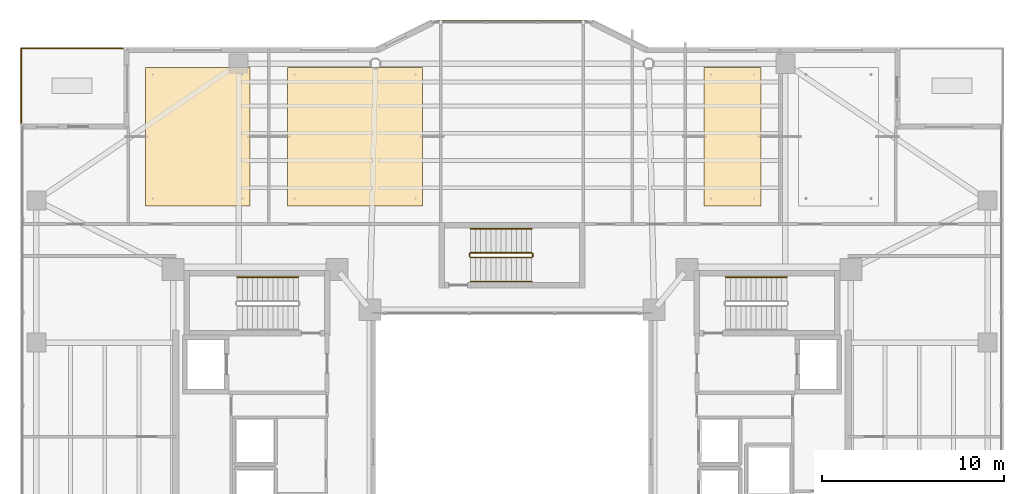
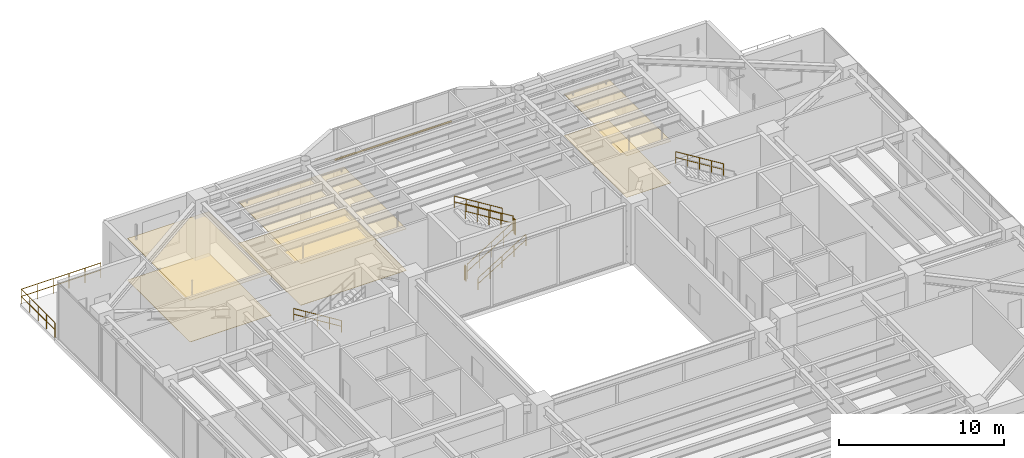
# One storey, part 36 of 37: 10 railings, 6 coverings, 1 shading device.
"""IFC4 building model written with IfcOpenShell, lengths in metres."""

from ifc_helpers import new_model, si_unit, direction, frame, origin, origin_2d, place, context, subcontext, project, spatial, polyline, rectangle, circle, outline, extrude, material, layer, layer_set, material_profile, profile_set, type_object, element, save


model = new_model("IFC4")

# Units and contexts
model_context = context("Model", 3, precision=1e-05, world=origin(), true_north=direction((0.0, 1.0)))
body_context = subcontext(model_context, "Body", "Model", "MODEL_VIEW")
ifc_project = project(units=[si_unit("LENGTHUNIT", "METRE"), si_unit("AREAUNIT", "SQUARE_METRE"), si_unit("VOLUMEUNIT", "CUBIC_METRE"), si_unit("PLANEANGLEUNIT", "RADIAN"), si_unit("MASSUNIT", "GRAM", prefix="KILO")], contexts=[model_context])

# Site, building, storey
site_placement = place(None, origin())
site = spatial("IfcSite", under=ifc_project, at=site_placement, CompositionType="ELEMENT")
building_placement = place(site_placement, origin())
building = spatial("IfcBuilding", under=site, at=building_placement, Name="Tarnavaz Court Tower", CompositionType="ELEMENT")
storey_placement = place(building_placement, frame((0.0, 0.0, 118.5)))
storey = spatial("IfcBuildingStorey", under=building, at=storey_placement, Name="L32", CompositionType="ELEMENT", Elevation=118.5)

# Coverings
ifc_material_1 = material(Name="Perforated Gypsum Acoustic Ceiling Tile", Category="masonry")
ifc_layer_1 = layer(ifc_material_1, 0.02490234375)
ifc_layer_set_1 = layer_set([ifc_layer_1], Name="Perforated Gypsum Acoustic Ceiling Tile")
covering_type_1 = type_object("IfcCoveringType", Name="CV-CEIL-AC", PredefinedType="CEILING", material=ifc_layer_set_1)
covering_1_placement = place(storey_placement, frame((0.0, 0.0, 3.080078125)))
element("IfcCovering", 1, at=covering_1_placement, inside=storey, type_object=covering_type_1, Name="L32 L32 Community Banquet Assembly Hall Suspended Acoustic Ceiling", PredefinedType="CEILING", context=body_context, shape_type="SweptSolid", body=[
    extrude(outline(polyline([(-20.10009765625, 13.5), (-14.385009765625, 13.5), (-14.385009765625, 21.10009765625), (-20.10009765625, 21.10009765625), (-20.10009765625, 13.5)])), origin(), (0.0, 0.0, 1.0), 0.02490234375),
])
covering_2_placement = place(storey_placement, frame((0.0, 0.0, 3.080078125)))
element("IfcCovering", 2, at=covering_2_placement, inside=storey, type_object=covering_type_1, Name="L32 L32 Resident Study Library Suspended Acoustic Ceiling", PredefinedType="CEILING", context=body_context, shape_type="SweptSolid", body=[
    extrude(outline(polyline([(-12.324951171875, 13.5), (-4.89990234375, 13.5), (-4.89990234375, 21.10009765625), (-12.324951171875, 21.10009765625), (-12.324951171875, 13.5)])), origin(), (0.0, 0.0, 1.0), 0.02490234375),
])
covering_3_placement = place(storey_placement, frame((0.0, 0.0, 3.080078125)))
element("IfcCovering", 3, at=covering_3_placement, inside=storey, type_object=covering_type_1, Name="L32 Community Seminar Meeting Room Suspended Acoustic Ceiling", PredefinedType="CEILING", context=body_context, shape_type="SweptSolid", body=[
    extrude(outline(polyline([(10.530029296875, 13.5), (13.6669921875, 13.5), (13.6669921875, 21.10009765625), (10.530029296875, 21.10009765625), (10.530029296875, 13.5)])), origin(), (0.0, 0.0, 1.0), 0.02490234375),
])
ifc_material_2 = material(Name="Glazed Khorasan Porcelain Floor Tile", Category="masonry")
ifc_layer_2 = layer(ifc_material_2, 0.02001953125)
ifc_layer_set_2 = layer_set([ifc_layer_2], Name="Glazed Khorasan Porcelain Floor Tile")
covering_type_2 = type_object("IfcCoveringType", Name="CV-FLR-PORC", PredefinedType="FLOORING", material=ifc_layer_set_2)
covering_4_placement = place(storey_placement, origin())
element("IfcCovering", 4, at=covering_4_placement, inside=storey, type_object=covering_type_2, Name="L32 L32 Community Banquet Assembly Hall Porcelain Floor Finish", PredefinedType="FLOORING", context=body_context, shape_type="SweptSolid", body=[
    extrude(outline(polyline([(-20.10009765625, 13.5), (-14.385009765625, 13.5), (-14.385009765625, 21.10009765625), (-20.10009765625, 21.10009765625), (-20.10009765625, 13.5)])), origin(), (0.0, 0.0, 1.0), 0.02001953125),
])
covering_5_placement = place(storey_placement, origin())
element("IfcCovering", 5, at=covering_5_placement, inside=storey, type_object=covering_type_2, Name="L32 L32 Resident Study Library Porcelain Floor Finish", PredefinedType="FLOORING", context=body_context, shape_type="SweptSolid", body=[
    extrude(outline(polyline([(-12.324951171875, 13.5), (-4.89990234375, 13.5), (-4.89990234375, 21.10009765625), (-12.324951171875, 21.10009765625), (-12.324951171875, 13.5)])), origin(), (0.0, 0.0, 1.0), 0.02001953125),
])
covering_6_placement = place(storey_placement, origin())
element("IfcCovering", 6, at=covering_6_placement, inside=storey, type_object=covering_type_2, Name="L32 Community Seminar Meeting Room Porcelain Floor Finish", PredefinedType="FLOORING", context=body_context, shape_type="SweptSolid", body=[
    extrude(outline(polyline([(10.530029296875, 13.5), (13.6669921875, 13.5), (13.6669921875, 21.10009765625), (10.530029296875, 21.10009765625), (10.530029296875, 13.5)])), origin(), (0.0, 0.0, 1.0), 0.02001953125),
])

# Railings
ifc_material_3 = material(Name="Anodised Aluminium 6063-T6 and Laminated Safety Glass", Category="aluminium")
railing_type_1 = type_object("IfcRailingType", Name="RL-BAL-1120", PredefinedType="BALUSTRADE", material=ifc_material_3)
railing_1_placement = place(storey_placement, frame((-21.360107421875, 22.139892578125, 0.0)))
element("IfcRailing", 7, at=railing_1_placement, inside=storey, type_object=railing_type_1, Name="L32 Terrace 2 N Perimeter Balustrade", PredefinedType="BALUSTRADE", context=body_context, shape_type="SweptSolid", body=[
    extrude(circle(Radius=0.02392578125, at=origin_2d()), frame((0.0, 0.0, 1.09619140625), z_axis=(-1.0, 0.0, 0.0), x_axis=(0.0, -1.0, 0.0)), (0.0, 0.0, 1.0), 5.579833984375),
    extrude(circle(Radius=0.02392578125, at=origin_2d()), frame((0.0, 0.0, 0.56005859375), z_axis=(-1.0, 0.0, 0.0), x_axis=(0.0, -1.0, 0.0)), (0.0, 0.0, 1.0), 5.579833984375),
    extrude(circle(Radius=0.02099609375, at=origin_2d()), origin(), (0.0, 0.0, 1.0), 1.072021484375),
    extrude(circle(Radius=0.02099609375, at=origin_2d()), frame((-1.115966796875, 0.0, 0.0)), (0.0, 0.0, 1.0), 1.072021484375),
    extrude(circle(Radius=0.02099609375, at=origin_2d()), frame((-2.23193359375, 0.0, 0.0)), (0.0, 0.0, 1.0), 1.072021484375),
    extrude(circle(Radius=0.02099609375, at=origin_2d()), frame((-3.347900390625, 0.0, 0.0)), (0.0, 0.0, 1.0), 1.072021484375),
    extrude(circle(Radius=0.02099609375, at=origin_2d()), frame((-4.4638671875, 0.0, 0.0)), (0.0, 0.0, 1.0), 1.072021484375),
    extrude(circle(Radius=0.02099609375, at=origin_2d()), frame((-5.579833984375, 0.0, 0.0)), (0.0, 0.0, 1.0), 1.072021484375),
])
railing_2_placement = place(storey_placement, frame((-26.93994140625, 22.139892578125, 0.0)))
element("IfcRailing", 8, at=railing_2_placement, inside=storey, type_object=railing_type_1, Name="L32 Terrace 2 W Perimeter Balustrade", PredefinedType="BALUSTRADE", context=body_context, shape_type="SweptSolid", body=[
    extrude(circle(Radius=0.02392578125, at=origin_2d()), frame((0.0, 0.0, 1.09619140625), z_axis=(0.0, -1.0, 0.0), x_axis=(1.0, 0.0, 0.0)), (0.0, 0.0, 1.0), 4.079833984375),
    extrude(circle(Radius=0.02392578125, at=origin_2d()), frame((0.0, 0.0, 0.56005859375), z_axis=(0.0, -1.0, 0.0), x_axis=(1.0, 0.0, 0.0)), (0.0, 0.0, 1.0), 4.079833984375),
    extrude(circle(Radius=0.02099609375, at=origin_2d()), origin(), (0.0, 0.0, 1.0), 1.072021484375),
    extrude(circle(Radius=0.02099609375, at=origin_2d()), frame((0.0, -1.02001953125, 0.0)), (0.0, 0.0, 1.0), 1.072021484375),
    extrude(circle(Radius=0.02099609375, at=origin_2d()), frame((0.0, -2.0400390625, 0.0)), (0.0, 0.0, 1.0), 1.072021484375),
    extrude(circle(Radius=0.02099609375, at=origin_2d()), frame((0.0, -3.059814453125, 0.0)), (0.0, 0.0, 1.0), 1.072021484375),
    extrude(circle(Radius=0.02099609375, at=origin_2d()), frame((0.0, -4.079833984375, 0.0)), (0.0, 0.0, 1.0), 1.072021484375),
])
ifc_material_4 = material(Name="Brushed Stainless Steel", Category="steel")
railing_type_2 = type_object("IfcRailingType", Name="RL-HANDRAIL-900", PredefinedType="HANDRAIL", material=ifc_material_4)
for number, where, name in (
    (9, (-11.719970703125, 9.590087890625, 0.173095703125), "L32 ST-W1 stair handrail 1"),
    (10, (15.080078125, 9.590087890625, 2.423095703125), "L32 ST-E1 stair handrail 2"),
):
    element("IfcRailing", number, at=place(storey_placement, frame(where)), inside=storey, type_object=railing_type_2, Name=name, PredefinedType="HANDRAIL", context=body_context, shape_type="SweptSolid", body=[
        extrude(circle(Radius=0.02392578125, at=origin_2d()), frame((0.0, 0.0, 0.8759765625), z_axis=(-0.850623216509, 0.0, 0.525775754039), x_axis=(0.0, -1.0, 0.0)), (0.0, 0.0, 1.0), 3.9501953125),
        extrude(circle(Radius=0.02392578125, at=origin_2d()), frame((0.0, 0.0, 0.449951171875), z_axis=(-0.850623216509, 0.0, 0.525775754039), x_axis=(0.0, -1.0, 0.0)), (0.0, 0.0, 1.0), 3.9501953125),
        extrude(circle(Radius=0.02099609375, at=origin_2d()), origin(), (0.0, 0.0, 1.0), 0.851806640625),
        extrude(circle(Radius=0.02099609375, at=origin_2d()), frame((-0.840087890625, 0.0, 0.519287109375)), (0.0, 0.0, 1.0), 0.851806640625),
        extrude(circle(Radius=0.02099609375, at=origin_2d()), frame((-1.68017578125, 0.0, 1.03857421875)), (0.0, 0.0, 1.0), 0.851806640625),
        extrude(circle(Radius=0.02099609375, at=origin_2d()), frame((-2.52001953125, 0.0, 1.5576171875)), (0.0, 0.0, 1.0), 0.851806640625),
        extrude(circle(Radius=0.02099609375, at=origin_2d()), frame((-3.360107421875, 0.0, 2.076904296875)), (0.0, 0.0, 1.0), 0.851806640625),
    ])
railing_3_placement = place(storey_placement, frame((-2.280029296875, 9.35009765625, 0.173095703125)))
element("IfcRailing", 11, at=railing_3_placement, inside=storey, type_object=railing_type_2, Name="L32 ST-N1 stair handrail 1", PredefinedType="HANDRAIL", context=body_context, shape_type="SweptSolid", body=[
    extrude(circle(Radius=0.02392578125, at=origin_2d()), frame((0.0, 0.0, 0.8759765625), z_axis=(0.850623216509, 0.0, 0.525775754039), x_axis=(0.0, 1.0, 0.0)), (0.0, 0.0, 1.0), 3.9501953125),
    extrude(circle(Radius=0.02392578125, at=origin_2d()), frame((0.0, 0.0, 0.449951171875), z_axis=(0.850623216509, 0.0, 0.525775754039), x_axis=(0.0, 1.0, 0.0)), (0.0, 0.0, 1.0), 3.9501953125),
    extrude(circle(Radius=0.02099609375, at=origin_2d()), origin(), (0.0, 0.0, 1.0), 0.851806640625),
    extrude(circle(Radius=0.02099609375, at=origin_2d()), frame((0.840087890625, 0.0, 0.519287109375)), (0.0, 0.0, 1.0), 0.851806640625),
    extrude(circle(Radius=0.02099609375, at=origin_2d()), frame((1.68017578125, 0.0, 1.03857421875)), (0.0, 0.0, 1.0), 0.851806640625),
    extrude(circle(Radius=0.02099609375, at=origin_2d()), frame((2.52001953125, 0.0, 1.5576171875)), (0.0, 0.0, 1.0), 0.851806640625),
    extrude(circle(Radius=0.02099609375, at=origin_2d()), frame((3.360107421875, 0.0, 2.076904296875)), (0.0, 0.0, 1.0), 0.851806640625),
])
railing_4_placement = place(storey_placement, frame((1.080078125, 12.239990234375, 2.423095703125)))
element("IfcRailing", 12, at=railing_4_placement, inside=storey, type_object=railing_type_2, Name="L32 ST-N1 stair handrail 2", PredefinedType="HANDRAIL", context=body_context, shape_type="SweptSolid", body=[
    extrude(circle(Radius=0.02392578125, at=origin_2d()), frame((0.0, 0.0, 0.8759765625), z_axis=(-0.850623216509, 0.0, 0.525775754039), x_axis=(0.0, -1.0, 0.0)), (0.0, 0.0, 1.0), 3.9501953125),
    extrude(circle(Radius=0.02392578125, at=origin_2d()), frame((0.0, 0.0, 0.449951171875), z_axis=(-0.850623216509, 0.0, 0.525775754039), x_axis=(0.0, -1.0, 0.0)), (0.0, 0.0, 1.0), 3.9501953125),
    extrude(circle(Radius=0.02099609375, at=origin_2d()), origin(), (0.0, 0.0, 1.0), 0.851806640625),
    extrude(circle(Radius=0.02099609375, at=origin_2d()), frame((-0.840087890625, 0.0, 0.519287109375)), (0.0, 0.0, 1.0), 0.851806640625),
    extrude(circle(Radius=0.02099609375, at=origin_2d()), frame((-1.68017578125, 0.0, 1.03857421875)), (0.0, 0.0, 1.0), 0.851806640625),
    extrude(circle(Radius=0.02099609375, at=origin_2d()), frame((-2.52001953125, 0.0, 1.5576171875)), (0.0, 0.0, 1.0), 0.851806640625),
    extrude(circle(Radius=0.02099609375, at=origin_2d()), frame((-3.360107421875, 0.0, 2.076904296875)), (0.0, 0.0, 1.0), 0.851806640625),
])
ifc_material_5 = material(Name="Galvanized Painted Tubular Steel", Category="steel")
railing_type_3 = type_object("IfcRailingType", Name="RL-STGUARD-1120", PredefinedType="GUARDRAIL", material=ifc_material_5)
railing_5_placement = place(storey_placement, frame((-2.280029296875, 10.669921875, 0.173095703125)))
element("IfcRailing", 13, at=railing_5_placement, inside=storey, type_object=railing_type_3, Name="L32 ST-N1 stair guard 1", PredefinedType="GUARDRAIL", context=body_context, shape_type="SweptSolid", body=[
    extrude(circle(Radius=0.02392578125, at=origin_2d()), frame((0.0, 0.0, 1.09619140625), z_axis=(0.850623216509, 0.0, 0.525775754039), x_axis=(0.0, 1.0, 0.0)), (0.0, 0.0, 1.0), 3.9501953125),
    extrude(circle(Radius=0.02392578125, at=origin_2d()), frame((0.0, 0.0, 0.56005859375), z_axis=(0.850623216509, 0.0, 0.525775754039), x_axis=(0.0, 1.0, 0.0)), (0.0, 0.0, 1.0), 3.9501953125),
    extrude(circle(Radius=0.02099609375, at=origin_2d()), origin(), (0.0, 0.0, 1.0), 1.072021484375),
    extrude(circle(Radius=0.02099609375, at=origin_2d()), frame((0.840087890625, 0.0, 0.519287109375)), (0.0, 0.0, 1.0), 1.072021484375),
    extrude(circle(Radius=0.02099609375, at=origin_2d()), frame((1.68017578125, 0.0, 1.03857421875)), (0.0, 0.0, 1.0), 1.072021484375),
    extrude(circle(Radius=0.02099609375, at=origin_2d()), frame((2.52001953125, 0.0, 1.5576171875)), (0.0, 0.0, 1.0), 1.072021484375),
    extrude(circle(Radius=0.02099609375, at=origin_2d()), frame((3.360107421875, 0.0, 2.076904296875)), (0.0, 0.0, 1.0), 1.072021484375),
])
railing_6_placement = place(storey_placement, frame((1.1298828125, 10.719970703125, 2.25)))
element("IfcRailing", 14, at=railing_6_placement, inside=storey, type_object=railing_type_3, Name="L32 ST-N1 stair guard 2", PredefinedType="GUARDRAIL", context=body_context, shape_type="SweptSolid", body=[
    extrude(circle(Radius=0.02392578125, at=origin_2d()), frame((0.0, 0.0, 1.09619140625), z_axis=(0.0, 1.0, 0.0), x_axis=(-1.0, 0.0, 0.0)), (0.0, 0.0, 1.0), 0.150146484375),
    extrude(circle(Radius=0.02392578125, at=origin_2d()), frame((0.0, 0.0, 0.56005859375), z_axis=(0.0, 1.0, 0.0), x_axis=(-1.0, 0.0, 0.0)), (0.0, 0.0, 1.0), 0.150146484375),
    extrude(circle(Radius=0.02099609375, at=origin_2d()), origin(), (0.0, 0.0, 1.0), 1.072021484375),
    extrude(circle(Radius=0.02099609375, at=origin_2d()), frame((0.0, 0.150146484375, 0.0)), (0.0, 0.0, 1.0), 1.072021484375),
])
railing_7_placement = place(storey_placement, frame((1.080078125, 10.919921875, 2.423095703125)))
element("IfcRailing", 15, at=railing_7_placement, inside=storey, type_object=railing_type_3, Name="L32 ST-N1 stair guard 3", PredefinedType="GUARDRAIL", context=body_context, shape_type="SweptSolid", body=[
    extrude(circle(Radius=0.02392578125, at=origin_2d()), frame((0.0, 0.0, 1.09619140625), z_axis=(-0.850623216509, 0.0, 0.525775754039), x_axis=(0.0, -1.0, 0.0)), (0.0, 0.0, 1.0), 3.9501953125),
    extrude(circle(Radius=0.02392578125, at=origin_2d()), frame((0.0, 0.0, 0.56005859375), z_axis=(-0.850623216509, 0.0, 0.525775754039), x_axis=(0.0, -1.0, 0.0)), (0.0, 0.0, 1.0), 3.9501953125),
    extrude(circle(Radius=0.02099609375, at=origin_2d()), origin(), (0.0, 0.0, 1.0), 1.072021484375),
    extrude(circle(Radius=0.02099609375, at=origin_2d()), frame((-0.840087890625, 0.0, 0.519287109375)), (0.0, 0.0, 1.0), 1.072021484375),
    extrude(circle(Radius=0.02099609375, at=origin_2d()), frame((-1.68017578125, 0.0, 1.03857421875)), (0.0, 0.0, 1.0), 1.072021484375),
    extrude(circle(Radius=0.02099609375, at=origin_2d()), frame((-2.52001953125, 0.0, 1.5576171875)), (0.0, 0.0, 1.0), 1.072021484375),
    extrude(circle(Radius=0.02099609375, at=origin_2d()), frame((-3.360107421875, 0.0, 2.076904296875)), (0.0, 0.0, 1.0), 1.072021484375),
])
railing_8_placement = place(storey_placement, frame((-2.330078125, 10.719970703125, 0.0)))
element("IfcRailing", 16, at=railing_8_placement, inside=storey, type_object=railing_type_3, Name="L32 ST-N1 stair guard 4", PredefinedType="GUARDRAIL", context=body_context, shape_type="SweptSolid", body=[
    extrude(circle(Radius=0.02392578125, at=origin_2d()), frame((0.0, 0.0, 1.09619140625), z_axis=(0.0, 1.0, 0.0), x_axis=(-1.0, 0.0, 0.0)), (0.0, 0.0, 1.0), 0.150146484375),
    extrude(circle(Radius=0.02392578125, at=origin_2d()), frame((0.0, 0.0, 0.56005859375), z_axis=(0.0, 1.0, 0.0), x_axis=(-1.0, 0.0, 0.0)), (0.0, 0.0, 1.0), 0.150146484375),
    extrude(circle(Radius=0.02099609375, at=origin_2d()), origin(), (0.0, 0.0, 1.0), 1.072021484375),
    extrude(circle(Radius=0.02099609375, at=origin_2d()), frame((0.0, 0.150146484375, 0.0)), (0.0, 0.0, 1.0), 1.072021484375),
])

# Shading device
ifc_material_6 = material(Name="Kiln-Fired Khorasan Terracotta Ceramic", Category="masonry")
ifc_material_profile = material_profile(ifc_material_6, rectangle(XDim=0.1201171875, YDim=0.06005859375, at=origin_2d()), Name="TC BAGUETTE 120X60")
ifc_profile_set = profile_set([ifc_material_profile], Name="Kiln-Fired Khorasan Terracotta Ceramic")
shading_device_type = type_object("IfcShadingDeviceType", Name="SD-BAG-120", PredefinedType="USERDEFINED", material=ifc_profile_set)
shading_device_placement = place(storey_placement, frame((-4.10009765625, 23.610107421875, 1.800048828125), z_axis=(1.0, 0.0, 0.0), x_axis=(0.0, 1.0, 0.0)))
element("IfcShadingDevice", 17, at=shading_device_placement, inside=storey, type_object=shading_device_type, Name="L32 Terracotta Baguette Screen PBG7", ObjectType="BAGUETTE", PredefinedType="USERDEFINED", context=body_context, shape_type="SweptSolid", body=[
    extrude(rectangle(XDim=0.1201171875, YDim=0.06005859375, at=origin_2d()), origin(), (0.0, 0.0, 1.0), 8.2001953125),
])

save(model, "model.ifc")
